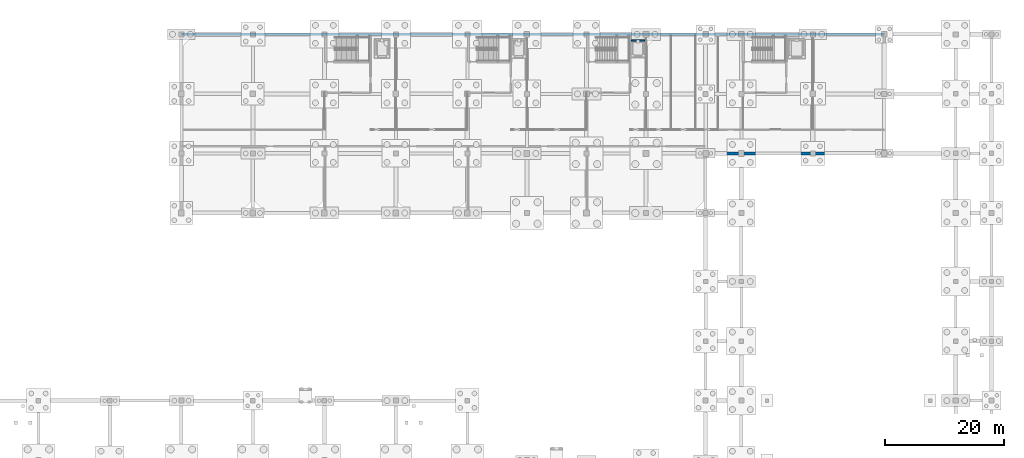
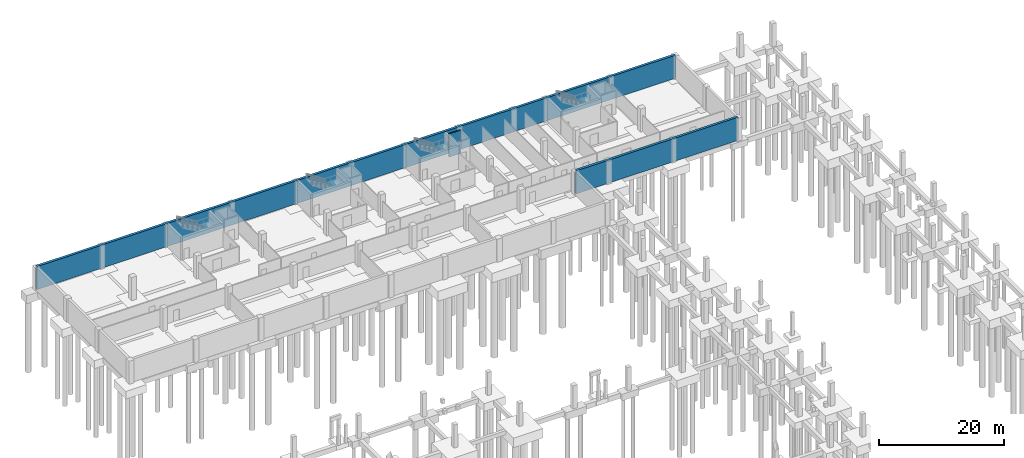
# One storey, part 15 of 19: 3 walls.
"""IFC4 building model written with IfcOpenShell, lengths in metres."""

import ifcopenshell
import ifcopenshell.guid

model = None  # the IFC model being written
_history = None  # IfcOwnerHistory: only IFC2X3 demands one
_inside = {}  # id of a spatial element -> (the spatial element, [elements in it])
_under = {}  # id of a project, library or spatial element -> (it, [spatial elements below it])
_declared = {}  # id of a project -> (the project, [libraries it declares])
_typed = {}  # id of a type object -> (the type object, [elements of that type])
_made_of = {}  # id of a material, layer set ... -> (it, [elements and type objects made of it])


def new_model(schema):
    """Start an empty IFC model of exactly this schema.

    Asked for "IFC4X3", IfcOpenShell would pick the latest addendum, in which some entities
    have other attributes; the version numbers below select the first issue.
    IFC2X3 requires an IfcOwnerHistory on every rooted entity: one is made here for all.
    """
    global model, _history
    if schema == "IFC4X3":
        model = ifcopenshell.file(schema_version=(4, 3, 0, 0))
    else:
        model = ifcopenshell.file(schema=schema)
    _inside.clear()
    _under.clear()
    _declared.clear()
    _typed.clear()
    _made_of.clear()
    _history = None
    if model.schema == "IFC2X3":
        org = make("IfcOrganization", Name="unknown")
        user = make(
            "IfcPersonAndOrganization",
            ThePerson=make("IfcPerson", FamilyName="unknown"),
            TheOrganization=org,
        )
        app = make(
            "IfcApplication",
            ApplicationDeveloper=org,
            Version="unknown",
            ApplicationFullName="unknown",
            ApplicationIdentifier="unknown",
        )
        _history = make(
            "IfcOwnerHistory",
            OwningUser=user,
            OwningApplication=app,
            ChangeAction="ADDED",
            CreationDate=0,
        )
    return model


def make(cls, **values):
    """One entity of the class cls with the attributes given. An attribute that is None is left unset."""
    return model.create_entity(
        cls, **{name: value for name, value in values.items() if value is not None}
    )


def rooted(cls, **values):
    """An entity with a GlobalId (a new one), such as an element, a storey or a relation."""
    return make(cls, GlobalId=ifcopenshell.guid.new(), OwnerHistory=_history, **values)


def si_unit(unit_type, name, prefix=None):
    """IfcSIUnit, for example si_unit("LENGTHUNIT", "METRE", prefix="MILLI")."""
    return make("IfcSIUnit", UnitType=unit_type, Prefix=prefix, Name=name)


def assignment(units):
    """IfcUnitAssignment: the units of a project."""
    return None if units is None else make("IfcUnitAssignment", Units=units)


def point(xyz):
    """IfcCartesianPoint."""
    return None if xyz is None else make("IfcCartesianPoint", Coordinates=xyz)


def direction(xyz):
    """IfcDirection."""
    return None if xyz is None else make("IfcDirection", DirectionRatios=xyz)


def frame(location, z_axis=None, x_axis=None):
    """IfcAxis2Placement3D, a coordinate frame: its origin and axes. An axis left out is left unset."""
    return make(
        "IfcAxis2Placement3D",
        Location=point(location),
        Axis=direction(z_axis),
        RefDirection=direction(x_axis),
    )


def frame_2d(location, x_axis=None):
    """IfcAxis2Placement2D, a coordinate frame in the plane: its origin and x axis."""
    return make(
        "IfcAxis2Placement2D", Location=point(location), RefDirection=direction(x_axis)
    )


def origin():
    """The frame at (0, 0, 0) with its axes left unset."""
    return frame((0.0, 0.0, 0.0))


def place(relative_to, where):
    """IfcLocalPlacement: puts the frame where relative to a parent placement (None: the world)."""
    return make(
        "IfcLocalPlacement", PlacementRelTo=relative_to, RelativePlacement=where
    )


def context(
    kind, dimensions, precision=None, world=None, true_north=None, identifier=None
):
    """IfcGeometricRepresentationContext, for example the 3D "Model" context."""
    return make(
        "IfcGeometricRepresentationContext",
        ContextIdentifier=identifier,
        ContextType=kind,
        CoordinateSpaceDimension=dimensions,
        Precision=precision,
        WorldCoordinateSystem=world,
        TrueNorth=true_north,
    )


def subcontext(parent, identifier, kind, view, scale=None):
    """IfcGeometricRepresentationSubContext, for example "Body" below "Model"."""
    return make(
        "IfcGeometricRepresentationSubContext",
        ContextIdentifier=identifier,
        ContextType=kind,
        ParentContext=parent,
        TargetScale=scale,
        TargetView=view,
    )


def project(units=None, contexts=None):
    """IfcProject with its units and contexts."""
    return rooted(
        "IfcProject",
        Name="project",
        RepresentationContexts=contexts,
        UnitsInContext=assignment(units),
    )


def spatial(cls, under=None, at=None, **own):
    """A site, building, storey or space (cls), placed at a placement, below another one or the project."""
    s = rooted(cls, ObjectPlacement=at, **own)
    if under is not None:
        _under.setdefault(under.id(), (under, []))[1].append(s)
    return s


def profile(cls, at=None, kind="AREA", **sizes):
    """A parametric profile (cls). Its sizes go by their IFC names, for example OverallWidth=200.0."""
    return make(cls, ProfileType=kind, Position=at, **sizes)


def rectangle(**sizes):
    """IfcRectangleProfileDef."""
    return profile("IfcRectangleProfileDef", **sizes)


def extrude(swept, where, along, depth):
    """IfcExtrudedAreaSolid: the profile swept, set in the frame where, extruded along a direction by depth."""
    return make(
        "IfcExtrudedAreaSolid",
        SweptArea=swept,
        Position=where,
        ExtrudedDirection=direction(along),
        Depth=depth,
    )


def shape(context_of_items, identifier, shape_type, items):
    """IfcShapeRepresentation: the items that make up one representation, for example the "Body"."""
    return make(
        "IfcShapeRepresentation",
        ContextOfItems=context_of_items,
        RepresentationIdentifier=identifier,
        RepresentationType=shape_type,
        Items=items,
    )


def material(Name=None, Category=None):
    """IfcMaterial."""
    return make("IfcMaterial", Name=Name, Category=Category)


def layer(
    of_material, thickness, ventilated=None, Name=None, Category=None, Priority=None
):
    """IfcMaterialLayer: one layer of a wall or slab, of a material (None: an air gap)."""
    return make(
        "IfcMaterialLayer",
        Material=of_material,
        LayerThickness=thickness,
        IsVentilated=ventilated,
        Name=Name,
        Category=Category,
        Priority=Priority,
    )


def layer_set(layers, Name=None):
    """IfcMaterialLayerSet."""
    return make("IfcMaterialLayerSet", MaterialLayers=layers, LayerSetName=Name)


def made_of(thing, what):
    """Note that an element or type object is made of a material, layer set ...; save() writes the relation."""
    if what is not None:
        _made_of.setdefault(what.id(), (what, []))[1].append(thing)
    return thing


def type_object(cls, material=None, **own):
    """A type object (cls), such as IfcWallType, which elements share."""
    return made_of(rooted(cls, **own), material)


def element(
    cls,
    number,
    at=None,
    inside=None,
    cuts=None,
    type_object=None,
    material=None,
    context=None,
    identifier="Body",
    shape_type=None,
    held_by="IfcProductDefinitionShape",
    body=None,
    shapes=None,
    **own,
):
    """One element of the class cls, such as IfcWall. Its Tag is "e" and its number.

    at: its placement. inside: the storey or other place that contains it. cuts: it is an
    opening in that element (IfcRelVoidsElement). A single representation is given by context,
    identifier, shape_type and body (its items); several are given by shapes. held_by: the class
    of the entity that holds the representations. save() writes the other relations.
    """
    e = rooted(cls, Tag="e%d" % number, ObjectPlacement=at, **own)
    if body is not None:
        shapes = [shape(context, identifier, shape_type, body)]
    if shapes is not None:
        e.Representation = make(held_by, Representations=shapes)
    if inside is not None:
        _inside.setdefault(inside.id(), (inside, []))[1].append(e)
    if cuts is not None:
        rooted(
            "IfcRelVoidsElement", RelatingBuildingElement=cuts, RelatedOpeningElement=e
        )
    if type_object is not None:
        _typed.setdefault(type_object.id(), (type_object, []))[1].append(e)
    return made_of(e, material)


def aggregate(whole, parts):
    """IfcRelAggregates: a whole, such as a stair, and the parts it consists of."""
    return rooted("IfcRelAggregates", RelatingObject=whole, RelatedObjects=parts)


def save(model, path):
    """Write the relations noted so far, then the file.

    IfcRelAggregates (storeys below a building ...), IfcRelContainedInSpatialStructure (elements
    in a storey), IfcRelDefinesByType, IfcRelAssociatesMaterial and IfcRelDeclares: one each for
    every whole, place, type object, material and project.
    """
    for whole, parts in _under.values():
        aggregate(whole, parts)
    for where, things in _inside.values():
        rooted(
            "IfcRelContainedInSpatialStructure",
            RelatedElements=things,
            RelatingStructure=where,
        )
    for kind, things in _typed.values():
        rooted("IfcRelDefinesByType", RelatedObjects=things, RelatingType=kind)
    for what, things in _made_of.values():
        rooted("IfcRelAssociatesMaterial", RelatedObjects=things, RelatingMaterial=what)
    for by, libraries in _declared.values():
        rooted("IfcRelDeclares", RelatingContext=by, RelatedDefinitions=libraries)
    model.write(path)


model = new_model("IFC4")

# Units and contexts
model_context = context("Model", 3, precision=1e-05, world=origin(), true_north=direction((0.0, 1.0)))
body_context = subcontext(model_context, "Body", "Model", "MODEL_VIEW")
ifc_project = project(units=[si_unit("LENGTHUNIT", "METRE"), si_unit("AREAUNIT", "SQUARE_METRE"), si_unit("VOLUMEUNIT", "CUBIC_METRE"), si_unit("PLANEANGLEUNIT", "RADIAN"), si_unit("MASSUNIT", "GRAM", prefix="KILO")], contexts=[model_context])

# Site, building, storey
site_placement = place(None, origin())
site = spatial("IfcSite", under=ifc_project, at=site_placement, CompositionType="ELEMENT")
building_placement = place(site_placement, origin())
building = spatial("IfcBuilding", under=site, at=building_placement, Name="Mersad Railyard Sports Hall", CompositionType="ELEMENT")
storey_placement = place(building_placement, frame((0.0, 0.0, -4.5)))
storey = spatial("IfcBuildingStorey", under=building, at=storey_placement, Name="B1", CompositionType="ELEMENT", Elevation=-4.5)

# Walls
ifc_material = material(Name="Concrete C40/50", Category="concrete")
ifc_layer_1 = layer(ifc_material, 0.449951171875)
ifc_layer_set_1 = layer_set([ifc_layer_1], Name="Concrete C40/50")
wall_type_1 = type_object("IfcWallType", Name="ARC-WL-EW05", PredefinedType="SOLIDWALL", material=ifc_layer_set_1)
wall_1_placement = place(storey_placement, frame((43.0, 115.0, 0.0), z_axis=(0.0, 0.0, 1.0), x_axis=(1.0, 0.0, 0.0)))
element("IfcWall", 1, at=wall_1_placement, inside=storey, type_object=wall_type_1, Name="External wall EW05-0002", PredefinedType="SOLIDWALL", context=body_context, shape_type="SweptSolid", body=[
    extrude(rectangle(XDim=118.0, YDim=0.449951171875, at=frame_2d((59.0, 0.0))), origin(), (0.0, 0.0, 1.0), 4.5),
])
wall_2_placement = place(storey_placement, frame((161.0, 95.0, 0.0), z_axis=(0.0, 0.0, 1.0), x_axis=(-1.0, 0.0, 0.0)))
element("IfcWall", 2, at=wall_2_placement, inside=storey, type_object=wall_type_1, Name="External wall EW05-0004", PredefinedType="SOLIDWALL", context=body_context, shape_type="SweptSolid", body=[
    extrude(rectangle(XDim=30.0, YDim=0.449951171875, at=frame_2d((15.0, 0.0))), origin(), (0.0, 0.0, 1.0), 4.5),
])
ifc_layer_2 = layer(ifc_material, 0.239990234375)
ifc_layer_set_2 = layer_set([ifc_layer_2], Name="Concrete C40/50")
wall_type_2 = type_object("IfcWallType", Name="STR-WL-SW03", PredefinedType="SHEAR", material=ifc_layer_set_2)
wall_3_placement = place(storey_placement, frame((118.550048828125, 113.949951171875, 0.0), z_axis=(0.0, 0.0, 1.0), x_axis=(1.0, 0.0, 0.0)))
element("IfcWall", 3, at=wall_3_placement, inside=storey, type_object=wall_type_2, Name="Interior wall SW03-0056", PredefinedType="SHEAR", context=body_context, shape_type="SweptSolid", body=[
    extrude(rectangle(XDim=2.199951171875, YDim=0.239990234375, at=frame_2d((1.10009765625, 0.0))), origin(), (0.0, 0.0, 1.0), 4.5),
])

save(model, "model.ifc")
